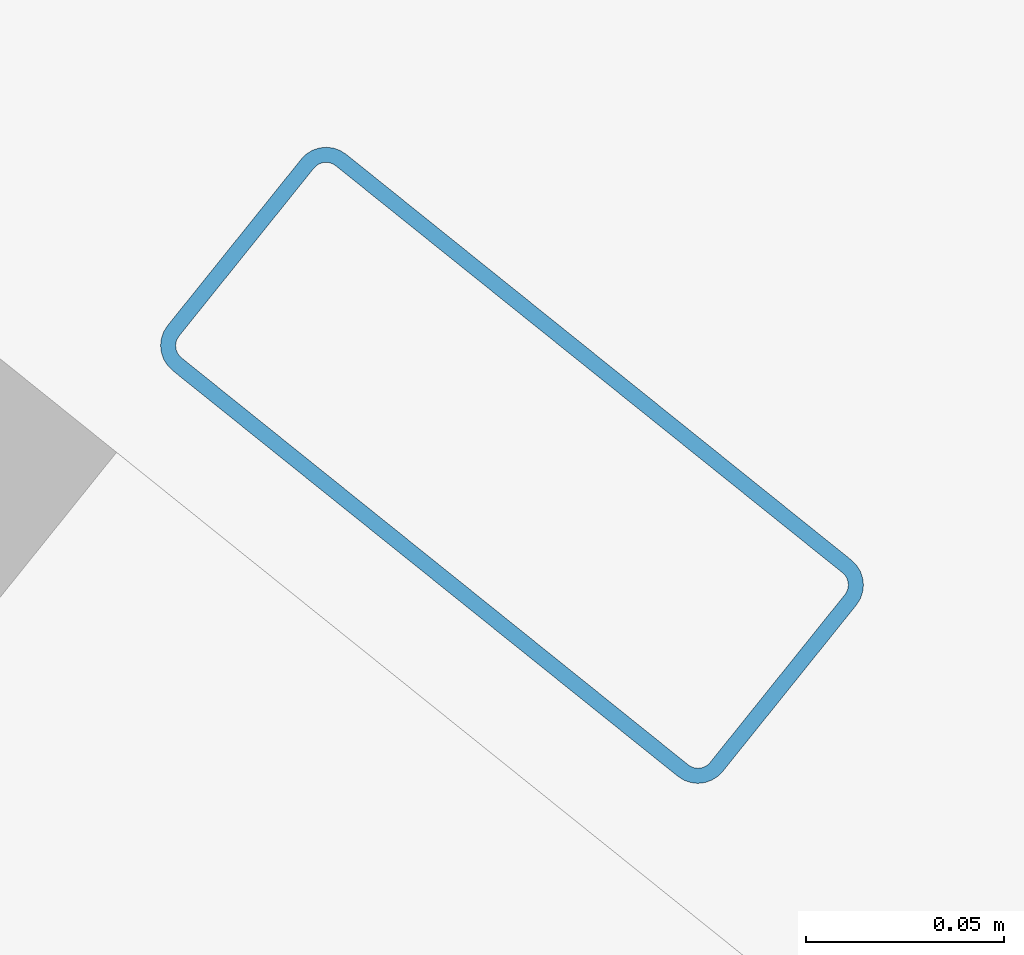
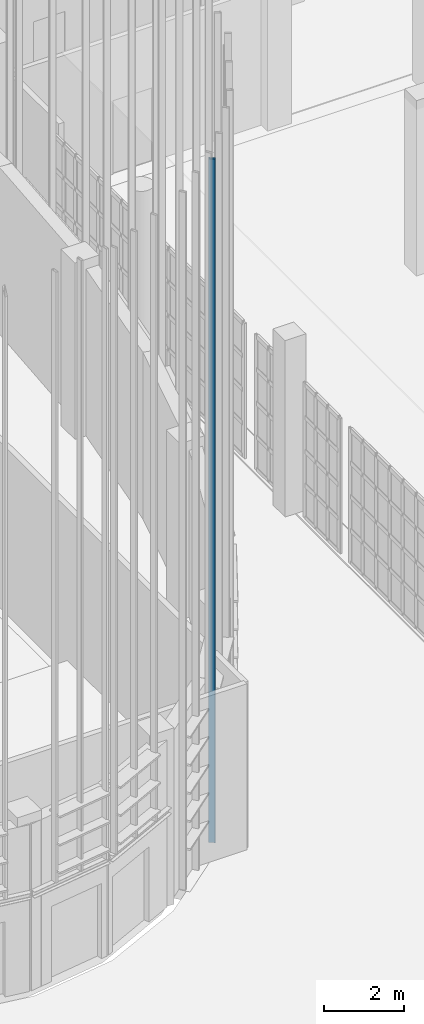
# One storey, part 199 of 372: 1 member.
"""IFC4 building model written with IfcOpenShell, lengths in metres."""

from ifc_helpers import new_model, si_unit, direction, frame, origin, origin_2d, place, context, subcontext, project, spatial, hollow_rectangle, extrude, material, material_profile, profile_set, type_object, element, save


model = new_model("IFC4")

# Units and contexts
model_context = context("Model", 3, precision=1e-05, world=origin(), true_north=direction((0.0, 1.0)))
body_context = subcontext(model_context, "Body", "Model", "MODEL_VIEW")
ifc_project = project(units=[si_unit("LENGTHUNIT", "METRE"), si_unit("AREAUNIT", "SQUARE_METRE"), si_unit("VOLUMEUNIT", "CUBIC_METRE"), si_unit("PLANEANGLEUNIT", "RADIAN"), si_unit("MASSUNIT", "GRAM", prefix="KILO")], contexts=[model_context])

# Site, building, storey
site_placement = place(None, origin())
site = spatial("IfcSite", under=ifc_project, at=site_placement, CompositionType="ELEMENT")
building_placement = place(site_placement, origin())
building = spatial("IfcBuilding", under=site, at=building_placement, Name="Kaelora Sail Theatre", CompositionType="ELEMENT")
storey_placement = place(building_placement, origin())
storey = spatial("IfcBuildingStorey", under=building, at=storey_placement, Name="L00", CompositionType="ELEMENT", Elevation=0.0)

# Member
ifc_material = material(Name="Anodised aluminium 6063-T6", Category="aluminium")
ifc_material_profile = material_profile(ifc_material, hollow_rectangle(XDim=0.070068359375, YDim=0.179931640625, WallThickness=0.00390625, InnerFilletRadius=0.00390625, OuterFilletRadius=0.008056640625, at=origin_2d()), Name="ALU-MULL 70x180x4")
ifc_profile_set = profile_set([ifc_material_profile], Name="Anodised aluminium 6063-T6")
member_type = type_object("IfcMemberType", Name="ARC-MEM-PST-160", PredefinedType="POST", material=ifc_profile_set)
member_placement = place(storey_placement, frame((97.81298828125, 34.462890625, 0.0), z_axis=(0.0, 0.0, 1.0), x_axis=(-0.626195665085, -0.779665947075, 0.0)))
element("IfcMember", 1, at=member_placement, inside=storey, type_object=member_type, Name="Studio Theatre Sail Drum solar louvre vertical support post C7-3", PredefinedType="POST", context=body_context, shape_type="SweptSolid", body=[
    extrude(hollow_rectangle(XDim=0.070068359375, YDim=0.179931640625, WallThickness=0.00390625, InnerFilletRadius=0.00390625, OuterFilletRadius=0.008056640625, at=origin_2d()), origin(), (0.0, 0.0, 1.0), 20.927978515625),
])

save(model, "model.ifc")
